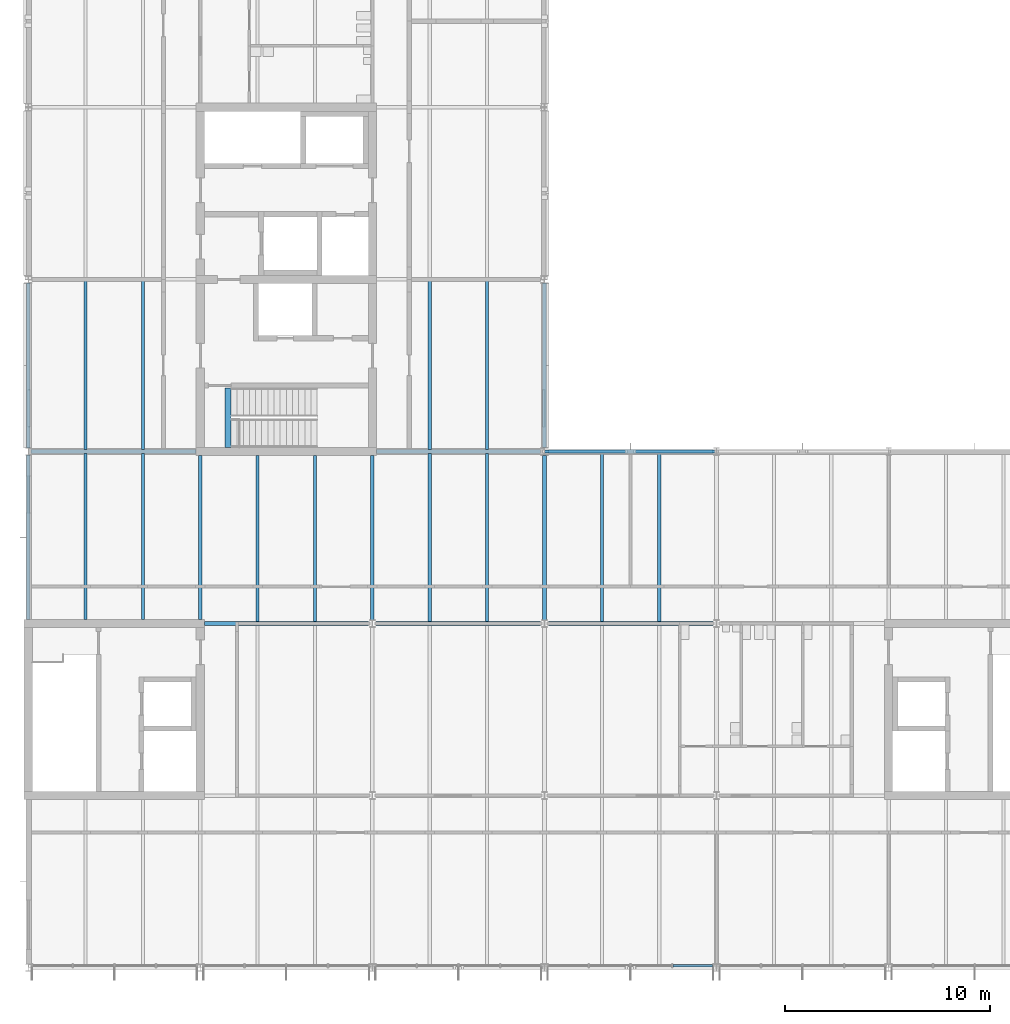
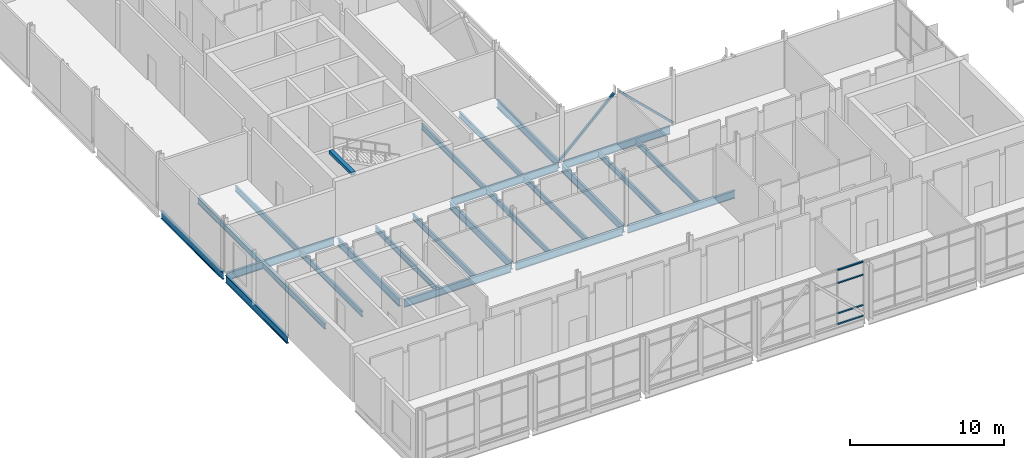
# One storey, part 13 of 72: 25 beams, 6 members, 1 element without a shape of its own.
"""IFC4 building model written with IfcOpenShell, lengths in metres."""

import ifcopenshell
import ifcopenshell.guid

model = None  # the IFC model being written
_history = None  # IfcOwnerHistory: only IFC2X3 demands one
_inside = {}  # id of a spatial element -> (the spatial element, [elements in it])
_under = {}  # id of a project, library or spatial element -> (it, [spatial elements below it])
_declared = {}  # id of a project -> (the project, [libraries it declares])
_typed = {}  # id of a type object -> (the type object, [elements of that type])
_made_of = {}  # id of a material, layer set ... -> (it, [elements and type objects made of it])


def new_model(schema):
    """Start an empty IFC model of exactly this schema.

    Asked for "IFC4X3", IfcOpenShell would pick the latest addendum, in which some entities
    have other attributes; the version numbers below select the first issue.
    IFC2X3 requires an IfcOwnerHistory on every rooted entity: one is made here for all.
    """
    global model, _history
    if schema == "IFC4X3":
        model = ifcopenshell.file(schema_version=(4, 3, 0, 0))
    else:
        model = ifcopenshell.file(schema=schema)
    _inside.clear()
    _under.clear()
    _declared.clear()
    _typed.clear()
    _made_of.clear()
    _history = None
    if model.schema == "IFC2X3":
        org = make("IfcOrganization", Name="unknown")
        user = make(
            "IfcPersonAndOrganization",
            ThePerson=make("IfcPerson", FamilyName="unknown"),
            TheOrganization=org,
        )
        app = make(
            "IfcApplication",
            ApplicationDeveloper=org,
            Version="unknown",
            ApplicationFullName="unknown",
            ApplicationIdentifier="unknown",
        )
        _history = make(
            "IfcOwnerHistory",
            OwningUser=user,
            OwningApplication=app,
            ChangeAction="ADDED",
            CreationDate=0,
        )
    return model


def make(cls, **values):
    """One entity of the class cls with the attributes given. An attribute that is None is left unset."""
    return model.create_entity(
        cls, **{name: value for name, value in values.items() if value is not None}
    )


def rooted(cls, **values):
    """An entity with a GlobalId (a new one), such as an element, a storey or a relation."""
    return make(cls, GlobalId=ifcopenshell.guid.new(), OwnerHistory=_history, **values)


def si_unit(unit_type, name, prefix=None):
    """IfcSIUnit, for example si_unit("LENGTHUNIT", "METRE", prefix="MILLI")."""
    return make("IfcSIUnit", UnitType=unit_type, Prefix=prefix, Name=name)


def assignment(units):
    """IfcUnitAssignment: the units of a project."""
    return None if units is None else make("IfcUnitAssignment", Units=units)


def point(xyz):
    """IfcCartesianPoint."""
    return None if xyz is None else make("IfcCartesianPoint", Coordinates=xyz)


def direction(xyz):
    """IfcDirection."""
    return None if xyz is None else make("IfcDirection", DirectionRatios=xyz)


def frame(location, z_axis=None, x_axis=None):
    """IfcAxis2Placement3D, a coordinate frame: its origin and axes. An axis left out is left unset."""
    return make(
        "IfcAxis2Placement3D",
        Location=point(location),
        Axis=direction(z_axis),
        RefDirection=direction(x_axis),
    )


def frame_2d(location, x_axis=None):
    """IfcAxis2Placement2D, a coordinate frame in the plane: its origin and x axis."""
    return make(
        "IfcAxis2Placement2D", Location=point(location), RefDirection=direction(x_axis)
    )


def origin():
    """The frame at (0, 0, 0) with its axes left unset."""
    return frame((0.0, 0.0, 0.0))


def origin_2d():
    """The frame at (0, 0) in the plane with its x axis left unset."""
    return frame_2d((0.0, 0.0))


def place(relative_to, where):
    """IfcLocalPlacement: puts the frame where relative to a parent placement (None: the world)."""
    return make(
        "IfcLocalPlacement", PlacementRelTo=relative_to, RelativePlacement=where
    )


def context(
    kind, dimensions, precision=None, world=None, true_north=None, identifier=None
):
    """IfcGeometricRepresentationContext, for example the 3D "Model" context."""
    return make(
        "IfcGeometricRepresentationContext",
        ContextIdentifier=identifier,
        ContextType=kind,
        CoordinateSpaceDimension=dimensions,
        Precision=precision,
        WorldCoordinateSystem=world,
        TrueNorth=true_north,
    )


def subcontext(parent, identifier, kind, view, scale=None):
    """IfcGeometricRepresentationSubContext, for example "Body" below "Model"."""
    return make(
        "IfcGeometricRepresentationSubContext",
        ContextIdentifier=identifier,
        ContextType=kind,
        ParentContext=parent,
        TargetScale=scale,
        TargetView=view,
    )


def project(units=None, contexts=None):
    """IfcProject with its units and contexts."""
    return rooted(
        "IfcProject",
        Name="project",
        RepresentationContexts=contexts,
        UnitsInContext=assignment(units),
    )


def spatial(cls, under=None, at=None, **own):
    """A site, building, storey or space (cls), placed at a placement, below another one or the project."""
    s = rooted(cls, ObjectPlacement=at, **own)
    if under is not None:
        _under.setdefault(under.id(), (under, []))[1].append(s)
    return s


def profile(cls, at=None, kind="AREA", **sizes):
    """A parametric profile (cls). Its sizes go by their IFC names, for example OverallWidth=200.0."""
    return make(cls, ProfileType=kind, Position=at, **sizes)


def rectangle(**sizes):
    """IfcRectangleProfileDef."""
    return profile("IfcRectangleProfileDef", **sizes)


def hollow_rectangle(**sizes):
    """IfcRectangleHollowProfileDef."""
    return profile("IfcRectangleHollowProfileDef", **sizes)


def i_section(**sizes):
    """IfcIShapeProfileDef."""
    return profile("IfcIShapeProfileDef", **sizes)


def extrude(swept, where, along, depth):
    """IfcExtrudedAreaSolid: the profile swept, set in the frame where, extruded along a direction by depth."""
    return make(
        "IfcExtrudedAreaSolid",
        SweptArea=swept,
        Position=where,
        ExtrudedDirection=direction(along),
        Depth=depth,
    )


def shape(context_of_items, identifier, shape_type, items):
    """IfcShapeRepresentation: the items that make up one representation, for example the "Body"."""
    return make(
        "IfcShapeRepresentation",
        ContextOfItems=context_of_items,
        RepresentationIdentifier=identifier,
        RepresentationType=shape_type,
        Items=items,
    )


def material(Name=None, Category=None):
    """IfcMaterial."""
    return make("IfcMaterial", Name=Name, Category=Category)


def material_profile(
    of_material, cross_section, Name=None, Category=None, Priority=None
):
    """IfcMaterialProfile: a cross section and its material."""
    return make(
        "IfcMaterialProfile",
        Name=Name,
        Material=of_material,
        Profile=cross_section,
        Priority=Priority,
        Category=Category,
    )


def profile_set(profiles, Name=None, composite=None):
    """IfcMaterialProfileSet."""
    return make(
        "IfcMaterialProfileSet",
        Name=Name,
        MaterialProfiles=profiles,
        CompositeProfile=composite,
    )


def made_of(thing, what):
    """Note that an element or type object is made of a material, layer set ...; save() writes the relation."""
    if what is not None:
        _made_of.setdefault(what.id(), (what, []))[1].append(thing)
    return thing


def type_object(cls, material=None, **own):
    """A type object (cls), such as IfcWallType, which elements share."""
    return made_of(rooted(cls, **own), material)


def element(
    cls,
    number,
    at=None,
    inside=None,
    cuts=None,
    type_object=None,
    material=None,
    context=None,
    identifier="Body",
    shape_type=None,
    held_by="IfcProductDefinitionShape",
    body=None,
    shapes=None,
    **own,
):
    """One element of the class cls, such as IfcWall. Its Tag is "e" and its number.

    at: its placement. inside: the storey or other place that contains it. cuts: it is an
    opening in that element (IfcRelVoidsElement). A single representation is given by context,
    identifier, shape_type and body (its items); several are given by shapes. held_by: the class
    of the entity that holds the representations. save() writes the other relations.
    """
    e = rooted(cls, Tag="e%d" % number, ObjectPlacement=at, **own)
    if body is not None:
        shapes = [shape(context, identifier, shape_type, body)]
    if shapes is not None:
        e.Representation = make(held_by, Representations=shapes)
    if inside is not None:
        _inside.setdefault(inside.id(), (inside, []))[1].append(e)
    if cuts is not None:
        rooted(
            "IfcRelVoidsElement", RelatingBuildingElement=cuts, RelatedOpeningElement=e
        )
    if type_object is not None:
        _typed.setdefault(type_object.id(), (type_object, []))[1].append(e)
    return made_of(e, material)


def aggregate(whole, parts):
    """IfcRelAggregates: a whole, such as a stair, and the parts it consists of."""
    return rooted("IfcRelAggregates", RelatingObject=whole, RelatedObjects=parts)


def save(model, path):
    """Write the relations noted so far, then the file.

    IfcRelAggregates (storeys below a building ...), IfcRelContainedInSpatialStructure (elements
    in a storey), IfcRelDefinesByType, IfcRelAssociatesMaterial and IfcRelDeclares: one each for
    every whole, place, type object, material and project.
    """
    for whole, parts in _under.values():
        aggregate(whole, parts)
    for where, things in _inside.values():
        rooted(
            "IfcRelContainedInSpatialStructure",
            RelatedElements=things,
            RelatingStructure=where,
        )
    for kind, things in _typed.values():
        rooted("IfcRelDefinesByType", RelatedObjects=things, RelatingType=kind)
    for what, things in _made_of.values():
        rooted("IfcRelAssociatesMaterial", RelatedObjects=things, RelatingMaterial=what)
    for by, libraries in _declared.values():
        rooted("IfcRelDeclares", RelatingContext=by, RelatedDefinitions=libraries)
    model.write(path)


model = new_model("IFC4")

# Units and contexts
model_context = context("Model", 3, precision=1e-05, world=origin(), true_north=direction((0.0, 1.0)))
body_context = subcontext(model_context, "Body", "Model", "MODEL_VIEW")
ifc_project = project(units=[si_unit("LENGTHUNIT", "METRE"), si_unit("AREAUNIT", "SQUARE_METRE"), si_unit("VOLUMEUNIT", "CUBIC_METRE"), si_unit("PLANEANGLEUNIT", "RADIAN"), si_unit("MASSUNIT", "GRAM", prefix="KILO")], contexts=[model_context])

# Site, building, storey
site_placement = place(None, origin())
site = spatial("IfcSite", under=ifc_project, at=site_placement, CompositionType="ELEMENT")
building_placement = place(site_placement, origin())
building = spatial("IfcBuilding", under=site, at=building_placement, Name="Hlaing Beacon Police Headquarters", CompositionType="ELEMENT")
storey_placement = place(building_placement, frame((0.0, 0.0, 14.39990234375)))
storey = spatial("IfcBuildingStorey", under=building, at=storey_placement, Name="L03", CompositionType="ELEMENT", Elevation=14.39990234375)

# Members
ifc_material_1 = material(Name="Steel ASTM A500 Grade C", Category="steel")
ifc_material_profile_1 = material_profile(ifc_material_1, hollow_rectangle(XDim=0.15234375, YDim=0.15234375, WallThickness=0.009521484375, at=origin_2d()), Name="HSS6x6x3/8")
ifc_profile_set_1 = profile_set([ifc_material_profile_1], Name="Steel ASTM A500 Grade C")
member_type_1 = type_object("IfcMemberType", Name="Chevron brace HSS6x6x3/8", PredefinedType="BRACE", material=ifc_profile_set_1)
member_1_placement = place(storey_placement, frame((33.555908203125, 33.60009765625, 0.05517578125), z_axis=(0.720004836827, 0.0, 0.693969044659), x_axis=(0.0, 1.0, 0.0)))
element("IfcMember", 1, at=member_1_placement, inside=storey, type_object=member_type_1, Name="STR-BR-L03-5Ea", PredefinedType="BRACE", context=body_context, shape_type="SweptSolid", body=[
    extrude(hollow_rectangle(XDim=0.15234375, YDim=0.15234375, WallThickness=0.009521484375, at=origin_2d()), origin(), (0.0, 0.0, 1.0), 5.616943359375),
])
member_2_placement = place(storey_placement, frame((42.0439453125, 33.60009765625, 0.05517578125), z_axis=(-0.719983903196, 0.0, 0.693990763006), x_axis=(0.0, -1.0, 0.0)))
element("IfcMember", 2, at=member_2_placement, inside=storey, type_object=member_type_1, Name="STR-BR-L03-5Eb", PredefinedType="BRACE", context=body_context, shape_type="SweptSolid", body=[
    extrude(hollow_rectangle(XDim=0.15234375, YDim=0.15234375, WallThickness=0.009521484375, at=origin_2d()), origin(), (0.0, 0.0, 1.0), 5.61669921875),
])

# Beams
ifc_material_2 = material(Name="Steel ASTM A992 Grade 50", Category="steel")
ifc_material_profile_2 = material_profile(ifc_material_2, i_section(OverallWidth=0.177978515625, OverallDepth=0.599365234375, WebThickness=0.010009765625, FlangeThickness=0.012939453125, FilletRadius=0.012939453125, at=origin_2d()), Name="W24x55")
ifc_profile_set_2 = profile_set([ifc_material_profile_2], Name="Steel ASTM A992 Grade 50")
beam_type_1 = type_object("IfcBeamType", Name="Girder W24x55", PredefinedType="BEAM", material=ifc_profile_set_2)
beam_1_placement = place(storey_placement, frame((17.0, 25.199951171875, -0.4296875), z_axis=(1.0, 0.0, 0.0), x_axis=(0.0, 1.0, 0.0)))
element("IfcBeam", 3, at=beam_1_placement, inside=storey, type_object=beam_type_1, Name="STR-BM-L03-GX-C4-D4", PredefinedType="BEAM", context=body_context, shape_type="SweptSolid", body=[
    extrude(i_section(OverallWidth=0.177978515625, OverallDepth=0.599365234375, WebThickness=0.010009765625, FlangeThickness=0.012939453125, FilletRadius=0.012939453125, at=origin_2d()), origin(), (0.0, 0.0, 1.0), 8.014892578125),
])
for number, where, z_axis, x_axis, name in (
    (4, (25.385009765625, 25.199951171875, -0.4296875), (1.0, 0.0, 0.0), (0.0, 1.0, 0.0), "STR-BM-L03-GX-D4-E4"),
    (5, (33.784912109375, 25.199951171875, -0.4296875), (1.0, 0.0, 0.0), (0.0, 1.0, 0.0), "STR-BM-L03-GX-E4-F4"),
):
    element("IfcBeam", number, at=place(storey_placement, frame(where, z_axis=z_axis, x_axis=x_axis)), inside=storey, type_object=beam_type_1, Name=name, PredefinedType="BEAM", context=body_context, shape_type="SweptSolid", body=[
        extrude(i_section(OverallWidth=0.177978515625, OverallDepth=0.599365234375, WebThickness=0.010009765625, FlangeThickness=0.012939453125, FilletRadius=0.012939453125, at=origin_2d()), origin(), (0.0, 0.0, 1.0), 8.030029296875),
    ])
beam_2_placement = place(storey_placement, frame((8.528076171875, 33.60009765625, -0.4296875), z_axis=(1.0, 0.0, 0.0), x_axis=(0.0, 1.0, 0.0)))
element("IfcBeam", 6, at=beam_2_placement, inside=storey, type_object=beam_type_1, Name="STR-BM-L03-GX-B5-C5", PredefinedType="BEAM", context=body_context, shape_type="SweptSolid", body=[
    extrude(i_section(OverallWidth=0.177978515625, OverallDepth=0.599365234375, WebThickness=0.010009765625, FlangeThickness=0.012939453125, FilletRadius=0.012939453125, at=origin_2d()), origin(), (0.0, 0.0, 1.0), 8.072021484375),
])
beam_3_placement = place(storey_placement, frame((25.39990234375, 33.60009765625, -0.4296875), z_axis=(1.0, 0.0, 0.0), x_axis=(0.0, 1.0, 0.0)))
element("IfcBeam", 7, at=beam_3_placement, inside=storey, type_object=beam_type_1, Name="STR-BM-L03-GX-D5-E5", PredefinedType="BEAM", context=body_context, shape_type="SweptSolid", body=[
    extrude(i_section(OverallWidth=0.177978515625, OverallDepth=0.599365234375, WebThickness=0.010009765625, FlangeThickness=0.012939453125, FilletRadius=0.012939453125, at=origin_2d()), origin(), (0.0, 0.0, 1.0), 8.01318359375),
])
beam_4_placement = place(storey_placement, frame((8.39990234375, 25.39990234375, -0.4296875), z_axis=(0.0, 1.0, 0.0), x_axis=(-1.0, 0.0, 0.0)))
element("IfcBeam", 8, at=beam_4_placement, inside=storey, type_object=beam_type_1, Name="STR-BM-L03-GY-B4-B5", PredefinedType="BEAM", context=body_context, shape_type="SweptSolid", body=[
    extrude(i_section(OverallWidth=0.177978515625, OverallDepth=0.599365234375, WebThickness=0.010009765625, FlangeThickness=0.012939453125, FilletRadius=0.012939453125, at=origin_2d()), origin(), (0.0, 0.0, 1.0), 8.02001953125),
])
beam_5_placement = place(storey_placement, frame((8.39990234375, 33.780029296875, -0.4296875), z_axis=(0.0, 1.0, 0.0), x_axis=(-1.0, 0.0, 0.0)))
element("IfcBeam", 9, at=beam_5_placement, inside=storey, type_object=beam_type_1, Name="STR-BM-L03-GY-B5-B6", PredefinedType="BEAM", context=body_context, shape_type="SweptSolid", body=[
    extrude(i_section(OverallWidth=0.177978515625, OverallDepth=0.599365234375, WebThickness=0.010009765625, FlangeThickness=0.012939453125, FilletRadius=0.012939453125, at=origin_2d()), origin(), (0.0, 0.0, 1.0), 8.032958984375),
])
beam_6_placement = place(storey_placement, frame((16.800048828125, 25.39990234375, -0.4296875), z_axis=(0.0, 1.0, 0.0), x_axis=(-1.0, 0.0, 0.0)))
element("IfcBeam", 10, at=beam_6_placement, inside=storey, type_object=beam_type_1, Name="STR-BM-L03-GY-C4-C5", PredefinedType="BEAM", context=body_context, shape_type="SweptSolid", body=[
    extrude(i_section(OverallWidth=0.177978515625, OverallDepth=0.599365234375, WebThickness=0.010009765625, FlangeThickness=0.012939453125, FilletRadius=0.012939453125, at=origin_2d()), origin(), (0.0, 0.0, 1.0), 8.0),
])
beam_7_placement = place(storey_placement, frame((25.199951171875, 25.382080078125, -0.4296875), z_axis=(0.0, 1.0, 0.0), x_axis=(-1.0, 0.0, 0.0)))
element("IfcBeam", 11, at=beam_7_placement, inside=storey, type_object=beam_type_1, Name="STR-BM-L03-GY-D4-D5", PredefinedType="BEAM", context=body_context, shape_type="SweptSolid", body=[
    extrude(i_section(OverallWidth=0.177978515625, OverallDepth=0.599365234375, WebThickness=0.010009765625, FlangeThickness=0.012939453125, FilletRadius=0.012939453125, at=origin_2d()), origin(), (0.0, 0.0, 1.0), 8.017822265625),
])
beam_8_placement = place(storey_placement, frame((33.60009765625, 25.382080078125, -0.4296875), z_axis=(0.0, 1.0, 0.0), x_axis=(-1.0, 0.0, 0.0)))
element("IfcBeam", 12, at=beam_8_placement, inside=storey, type_object=beam_type_1, Name="STR-BM-L03-GY-E4-E5", PredefinedType="BEAM", context=body_context, shape_type="SweptSolid", body=[
    extrude(i_section(OverallWidth=0.177978515625, OverallDepth=0.599365234375, WebThickness=0.010009765625, FlangeThickness=0.012939453125, FilletRadius=0.012939453125, at=origin_2d()), origin(), (0.0, 0.0, 1.0), 8.031005859375),
])
beam_9_placement = place(storey_placement, frame((33.60009765625, 33.787109375, -0.4296875), z_axis=(0.0, 1.0, 0.0), x_axis=(-1.0, 0.0, 0.0)))
element("IfcBeam", 13, at=beam_9_placement, inside=storey, type_object=beam_type_1, Name="STR-BM-L03-GY-E5-E6", PredefinedType="BEAM", context=body_context, shape_type="SweptSolid", body=[
    extrude(i_section(OverallWidth=0.177978515625, OverallDepth=0.599365234375, WebThickness=0.010009765625, FlangeThickness=0.012939453125, FilletRadius=0.012939453125, at=origin_2d()), origin(), (0.0, 0.0, 1.0), 8.02587890625),
])
ifc_material_3 = material(Name="Steel ASTM A992 Grade 50", Category="steel")
ifc_material_profile_3 = material_profile(ifc_material_3, i_section(OverallWidth=0.1787109375, OverallDepth=0.60205078125, WebThickness=0.010986328125, FlangeThickness=0.014892578125, FilletRadius=0.0126953125, at=origin_2d()), Name="W24x62")
ifc_profile_set_3 = profile_set([ifc_material_profile_3], Name="Steel ASTM A992 Grade 50")
beam_type_2 = type_object("IfcBeamType", Name="Girder W24x62", PredefinedType="BEAM", material=ifc_profile_set_3)
beam_10_placement = place(storey_placement, frame((33.787109375, 33.60009765625, -0.430908203125), z_axis=(1.0, 0.0, 0.0), x_axis=(0.0, 1.0, 0.0)))
element("IfcBeam", 14, at=beam_10_placement, inside=storey, type_object=beam_type_2, Name="STR-BM-L03-GX-E5-F5", PredefinedType="BEAM", context=body_context, shape_type="SweptSolid", body=[
    extrude(i_section(OverallWidth=0.1787109375, OverallDepth=0.60205078125, WebThickness=0.010986328125, FlangeThickness=0.014892578125, FilletRadius=0.0126953125, at=origin_2d()), origin(), (0.0, 0.0, 1.0), 8.02783203125),
])
ifc_material_4 = material(Name="Steel ASTM A992 Grade 50", Category="steel")
ifc_material_profile_4 = material_profile(ifc_material_4, i_section(OverallWidth=0.15234375, OverallDepth=0.449462890625, WebThickness=0.007568359375, FlangeThickness=0.0107421875, FilletRadius=0.01025390625, at=origin_2d()), Name="W18x35")
ifc_profile_set_4 = profile_set([ifc_material_profile_4], Name="Steel ASTM A992 Grade 50")
beam_type_3 = type_object("IfcBeamType", Name="Secondary beam W18x35", PredefinedType="BEAM", material=ifc_profile_set_4)
for number, where, z_axis, x_axis, name in (
    (15, (11.199951171875, 25.39990234375, -0.354736328125), (0.0, 1.0, 0.0), (-1.0, 0.0, 0.0), "STR-BM-L03-SB-B4-y1"),
    (16, (14.0, 25.39990234375, -0.354736328125), (0.0, 1.0, 0.0), (-1.0, 0.0, 0.0), "STR-BM-L03-SB-B4-y2"),
):
    element("IfcBeam", number, at=place(storey_placement, frame(where, z_axis=z_axis, x_axis=x_axis)), inside=storey, type_object=beam_type_3, Name=name, PredefinedType="BEAM", context=body_context, shape_type="SweptSolid", body=[
        extrude(i_section(OverallWidth=0.15234375, OverallDepth=0.449462890625, WebThickness=0.007568359375, FlangeThickness=0.0107421875, FilletRadius=0.01025390625, at=origin_2d()), origin(), (0.0, 0.0, 1.0), 8.111083984375),
    ])
for number, where, z_axis, x_axis, name in (
    (17, (11.199951171875, 33.68896484375, -0.354736328125), (0.0, 1.0, 0.0), (-1.0, 0.0, 0.0), "STR-BM-L03-SB-B5-y1"),
    (18, (14.0, 33.68896484375, -0.354736328125), (0.0, 1.0, 0.0), (-1.0, 0.0, 0.0), "STR-BM-L03-SB-B5-y2"),
):
    element("IfcBeam", number, at=place(storey_placement, frame(where, z_axis=z_axis, x_axis=x_axis)), inside=storey, type_object=beam_type_3, Name=name, PredefinedType="BEAM", context=body_context, shape_type="SweptSolid", body=[
        extrude(i_section(OverallWidth=0.15234375, OverallDepth=0.449462890625, WebThickness=0.007568359375, FlangeThickness=0.0107421875, FilletRadius=0.01025390625, at=origin_2d()), origin(), (0.0, 0.0, 1.0), 8.221923828125),
    ])
for number, where, z_axis, x_axis, name in (
    (19, (19.60009765625, 25.2890625, -0.354736328125), (0.0, 1.0, 0.0), (-1.0, 0.0, 0.0), "STR-BM-L03-SB-C4-y1"),
    (20, (22.39990234375, 25.2890625, -0.354736328125), (0.0, 1.0, 0.0), (-1.0, 0.0, 0.0), "STR-BM-L03-SB-C4-y2"),
):
    element("IfcBeam", number, at=place(storey_placement, frame(where, z_axis=z_axis, x_axis=x_axis)), inside=storey, type_object=beam_type_3, Name=name, PredefinedType="BEAM", context=body_context, shape_type="SweptSolid", body=[
        extrude(i_section(OverallWidth=0.15234375, OverallDepth=0.449462890625, WebThickness=0.007568359375, FlangeThickness=0.0107421875, FilletRadius=0.01025390625, at=origin_2d()), origin(), (0.0, 0.0, 1.0), 8.11083984375),
    ])
for number, where, z_axis, x_axis, name in (
    (21, (28.0, 25.2890625, -0.354736328125), (0.0, 1.0, 0.0), (-1.0, 0.0, 0.0), "STR-BM-L03-SB-D4-y1"),
    (22, (30.800048828125, 25.2890625, -0.354736328125), (0.0, 1.0, 0.0), (-1.0, 0.0, 0.0), "STR-BM-L03-SB-D4-y2"),
    (23, (28.0, 33.68896484375, -0.354736328125), (0.0, 1.0, 0.0), (-1.0, 0.0, 0.0), "STR-BM-L03-SB-D5-y1"),
    (24, (30.800048828125, 33.68896484375, -0.354736328125), (0.0, 1.0, 0.0), (-1.0, 0.0, 0.0), "STR-BM-L03-SB-D5-y2"),
    (25, (36.39990234375, 25.2890625, -0.354736328125), (0.0, 1.0, 0.0), (-1.0, 0.0, 0.0), "STR-BM-L03-SB-E4-y1"),
    (26, (39.199951171875, 25.2890625, -0.354736328125), (0.0, 1.0, 0.0), (-1.0, 0.0, 0.0), "STR-BM-L03-SB-E4-y2"),
):
    element("IfcBeam", number, at=place(storey_placement, frame(where, z_axis=z_axis, x_axis=x_axis)), inside=storey, type_object=beam_type_3, Name=name, PredefinedType="BEAM", context=body_context, shape_type="SweptSolid", body=[
        extrude(i_section(OverallWidth=0.15234375, OverallDepth=0.449462890625, WebThickness=0.007568359375, FlangeThickness=0.0107421875, FilletRadius=0.01025390625, at=origin_2d()), origin(), (0.0, 0.0, 1.0), 8.221923828125),
    ])
ifc_material_5 = material(Name="Concrete C40/50", Category="concrete")
ifc_material_profile_5 = material_profile(ifc_material_5, rectangle(XDim=0.300048828125, YDim=0.25, at=origin_2d()), Name="Stair arrival beam 300x250")
ifc_profile_set_5 = profile_set([ifc_material_profile_5], Name="Concrete C40/50")
beam_type_4 = type_object("IfcBeamType", Name="Stair arrival beam 300x250", PredefinedType="BEAM", material=ifc_profile_set_5)
beam_11_placement = place(storey_placement, frame((18.159912109375, 33.800048828125, 4.2451171875), z_axis=(0.0, 1.0, 0.0), x_axis=(-1.0, 0.0, 0.0)))
element("IfcBeam", 27, at=beam_11_placement, inside=storey, type_object=beam_type_4, Name="Stair arrival beam ST-N", PredefinedType="BEAM", context=body_context, shape_type="SweptSolid", body=[
    extrude(rectangle(XDim=0.300048828125, YDim=0.25, at=origin_2d()), origin(), (0.0, 0.0, 1.0), 2.89990234375),
])

# Curtain wall, members
ifc_material_6 = material(Name="Aluminium frame with solar control glazing", Category="aluminium")
curtain_wall_type = type_object("IfcCurtainWallType", Name="Unitised curtain wall 8.14 x 4.37", PredefinedType="NOTDEFINED", material=ifc_material_6)
curtain_wall_placement = place(storey_placement, origin())
curtain_wall = element("IfcCurtainWall", 28, at=curtain_wall_placement, inside=storey, type_object=curtain_wall_type, Name="ENV-CW-L03-S018", PredefinedType="NOTDEFINED")
ifc_material_7 = material(Name="Aluminium", Category="aluminium")
ifc_material_profile_6 = material_profile(ifc_material_7, rectangle(XDim=0.1201171875, YDim=0.10009765625, at=origin_2d()), Name="Transom 120x100")
ifc_profile_set_6 = profile_set([ifc_material_profile_6], Name="Aluminium")
member_type_2 = type_object("IfcMemberType", Name="Transom 120x100", PredefinedType="USERDEFINED", material=ifc_profile_set_6)
member_3_placement = place(storey_placement, frame((39.865966796875, 8.5, 0.050048828125), z_axis=(1.0, 0.0, 0.0), x_axis=(0.0, 1.0, 0.0)))
member_3 = element("IfcMember", 29, at=member_3_placement, type_object=member_type_2, Name="CW-L03-S018 transom 4.1", ObjectType="TRANSOM", PredefinedType="USERDEFINED", context=body_context, shape_type="SweptSolid", body=[
    extrude(rectangle(XDim=0.1201171875, YDim=0.10009765625, at=origin_2d()), origin(), (0.0, 0.0, 1.0), 1.94580078125),
])
member_4_placement = place(storey_placement, frame((39.865966796875, 8.5, 0.900146484375), z_axis=(1.0, 0.0, 0.0), x_axis=(0.0, 1.0, 0.0)))
member_4 = element("IfcMember", 30, at=member_4_placement, type_object=member_type_2, Name="CW-L03-S018 transom 4.2", ObjectType="TRANSOM", PredefinedType="USERDEFINED", context=body_context, shape_type="SweptSolid", body=[
    extrude(rectangle(XDim=0.1201171875, YDim=0.10009765625, at=origin_2d()), origin(), (0.0, 0.0, 1.0), 1.94580078125),
])
member_5_placement = place(storey_placement, frame((39.865966796875, 8.5, 3.300048828125), z_axis=(1.0, 0.0, 0.0), x_axis=(0.0, 1.0, 0.0)))
member_5 = element("IfcMember", 31, at=member_5_placement, type_object=member_type_2, Name="CW-L03-S018 transom 4.3", ObjectType="TRANSOM", PredefinedType="USERDEFINED", context=body_context, shape_type="SweptSolid", body=[
    extrude(rectangle(XDim=0.1201171875, YDim=0.10009765625, at=origin_2d()), origin(), (0.0, 0.0, 1.0), 1.94580078125),
])
member_6_placement = place(storey_placement, frame((39.865966796875, 8.5, 4.320068359375), z_axis=(1.0, 0.0, 0.0), x_axis=(0.0, 1.0, 0.0)))
member_6 = element("IfcMember", 32, at=member_6_placement, type_object=member_type_2, Name="CW-L03-S018 transom 4.4", ObjectType="TRANSOM", PredefinedType="USERDEFINED", context=body_context, shape_type="SweptSolid", body=[
    extrude(rectangle(XDim=0.1201171875, YDim=0.10009765625, at=origin_2d()), origin(), (0.0, 0.0, 1.0), 1.94580078125),
])
aggregate(curtain_wall, [member_3, member_4, member_5, member_6])

save(model, "model.ifc")
